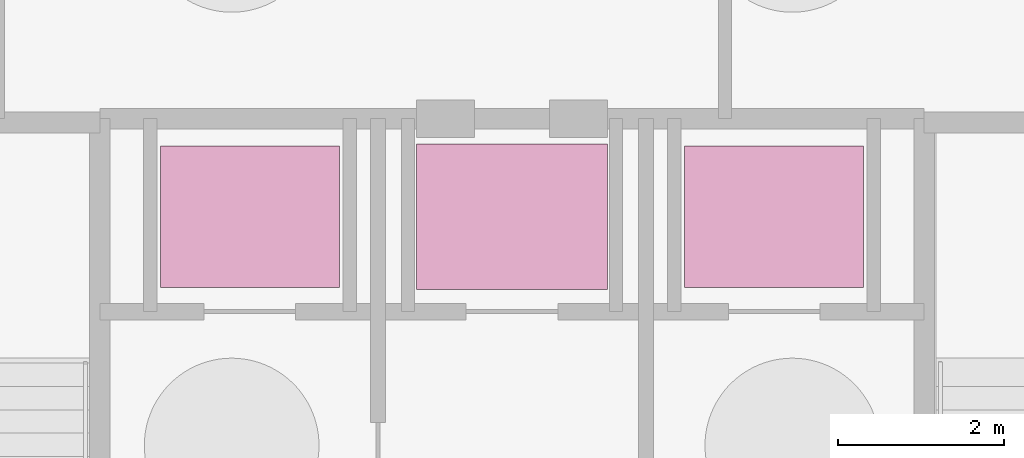
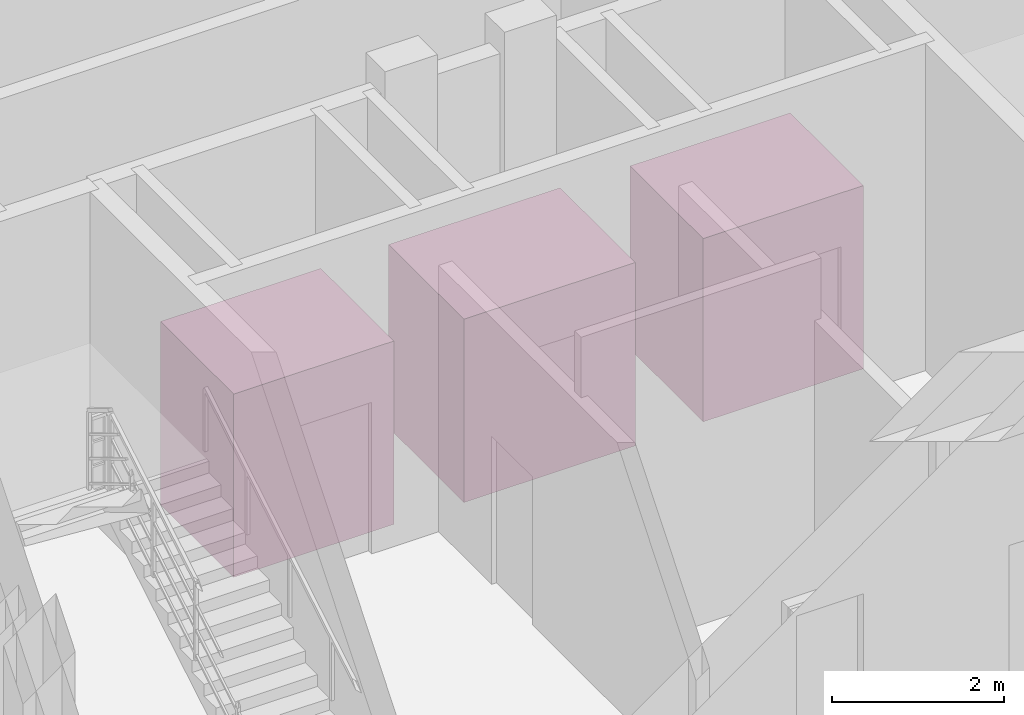
# One storey, part 12 of 12: 3 transport elements.
"""IFC4 building model written with IfcOpenShell, lengths in metres."""

import ifcopenshell
import ifcopenshell.guid

model = None  # the IFC model being written
_history = None  # IfcOwnerHistory: only IFC2X3 demands one
_inside = {}  # id of a spatial element -> (the spatial element, [elements in it])
_under = {}  # id of a project, library or spatial element -> (it, [spatial elements below it])
_declared = {}  # id of a project -> (the project, [libraries it declares])
_typed = {}  # id of a type object -> (the type object, [elements of that type])
_made_of = {}  # id of a material, layer set ... -> (it, [elements and type objects made of it])


def new_model(schema):
    """Start an empty IFC model of exactly this schema.

    Asked for "IFC4X3", IfcOpenShell would pick the latest addendum, in which some entities
    have other attributes; the version numbers below select the first issue.
    IFC2X3 requires an IfcOwnerHistory on every rooted entity: one is made here for all.
    """
    global model, _history
    if schema == "IFC4X3":
        model = ifcopenshell.file(schema_version=(4, 3, 0, 0))
    else:
        model = ifcopenshell.file(schema=schema)
    _inside.clear()
    _under.clear()
    _declared.clear()
    _typed.clear()
    _made_of.clear()
    _history = None
    if model.schema == "IFC2X3":
        org = make("IfcOrganization", Name="unknown")
        user = make(
            "IfcPersonAndOrganization",
            ThePerson=make("IfcPerson", FamilyName="unknown"),
            TheOrganization=org,
        )
        app = make(
            "IfcApplication",
            ApplicationDeveloper=org,
            Version="unknown",
            ApplicationFullName="unknown",
            ApplicationIdentifier="unknown",
        )
        _history = make(
            "IfcOwnerHistory",
            OwningUser=user,
            OwningApplication=app,
            ChangeAction="ADDED",
            CreationDate=0,
        )
    return model


def make(cls, **values):
    """One entity of the class cls with the attributes given. An attribute that is None is left unset."""
    return model.create_entity(
        cls, **{name: value for name, value in values.items() if value is not None}
    )


def rooted(cls, **values):
    """An entity with a GlobalId (a new one), such as an element, a storey or a relation."""
    return make(cls, GlobalId=ifcopenshell.guid.new(), OwnerHistory=_history, **values)


def si_unit(unit_type, name, prefix=None):
    """IfcSIUnit, for example si_unit("LENGTHUNIT", "METRE", prefix="MILLI")."""
    return make("IfcSIUnit", UnitType=unit_type, Prefix=prefix, Name=name)


def assignment(units):
    """IfcUnitAssignment: the units of a project."""
    return None if units is None else make("IfcUnitAssignment", Units=units)


def point(xyz):
    """IfcCartesianPoint."""
    return None if xyz is None else make("IfcCartesianPoint", Coordinates=xyz)


def direction(xyz):
    """IfcDirection."""
    return None if xyz is None else make("IfcDirection", DirectionRatios=xyz)


def frame(location, z_axis=None, x_axis=None):
    """IfcAxis2Placement3D, a coordinate frame: its origin and axes. An axis left out is left unset."""
    return make(
        "IfcAxis2Placement3D",
        Location=point(location),
        Axis=direction(z_axis),
        RefDirection=direction(x_axis),
    )


def frame_2d(location, x_axis=None):
    """IfcAxis2Placement2D, a coordinate frame in the plane: its origin and x axis."""
    return make(
        "IfcAxis2Placement2D", Location=point(location), RefDirection=direction(x_axis)
    )


def origin():
    """The frame at (0, 0, 0) with its axes left unset."""
    return frame((0.0, 0.0, 0.0))


def origin_2d():
    """The frame at (0, 0) in the plane with its x axis left unset."""
    return frame_2d((0.0, 0.0))


def place(relative_to, where):
    """IfcLocalPlacement: puts the frame where relative to a parent placement (None: the world)."""
    return make(
        "IfcLocalPlacement", PlacementRelTo=relative_to, RelativePlacement=where
    )


def context(
    kind, dimensions, precision=None, world=None, true_north=None, identifier=None
):
    """IfcGeometricRepresentationContext, for example the 3D "Model" context."""
    return make(
        "IfcGeometricRepresentationContext",
        ContextIdentifier=identifier,
        ContextType=kind,
        CoordinateSpaceDimension=dimensions,
        Precision=precision,
        WorldCoordinateSystem=world,
        TrueNorth=true_north,
    )


def subcontext(parent, identifier, kind, view, scale=None):
    """IfcGeometricRepresentationSubContext, for example "Body" below "Model"."""
    return make(
        "IfcGeometricRepresentationSubContext",
        ContextIdentifier=identifier,
        ContextType=kind,
        ParentContext=parent,
        TargetScale=scale,
        TargetView=view,
    )


def project(units=None, contexts=None):
    """IfcProject with its units and contexts."""
    return rooted(
        "IfcProject",
        Name="project",
        RepresentationContexts=contexts,
        UnitsInContext=assignment(units),
    )


def spatial(cls, under=None, at=None, **own):
    """A site, building, storey or space (cls), placed at a placement, below another one or the project."""
    s = rooted(cls, ObjectPlacement=at, **own)
    if under is not None:
        _under.setdefault(under.id(), (under, []))[1].append(s)
    return s


def profile(cls, at=None, kind="AREA", **sizes):
    """A parametric profile (cls). Its sizes go by their IFC names, for example OverallWidth=200.0."""
    return make(cls, ProfileType=kind, Position=at, **sizes)


def rectangle(**sizes):
    """IfcRectangleProfileDef."""
    return profile("IfcRectangleProfileDef", **sizes)


def extrude(swept, where, along, depth):
    """IfcExtrudedAreaSolid: the profile swept, set in the frame where, extruded along a direction by depth."""
    return make(
        "IfcExtrudedAreaSolid",
        SweptArea=swept,
        Position=where,
        ExtrudedDirection=direction(along),
        Depth=depth,
    )


def shape(context_of_items, identifier, shape_type, items):
    """IfcShapeRepresentation: the items that make up one representation, for example the "Body"."""
    return make(
        "IfcShapeRepresentation",
        ContextOfItems=context_of_items,
        RepresentationIdentifier=identifier,
        RepresentationType=shape_type,
        Items=items,
    )


def material(Name=None, Category=None):
    """IfcMaterial."""
    return make("IfcMaterial", Name=Name, Category=Category)


def made_of(thing, what):
    """Note that an element or type object is made of a material, layer set ...; save() writes the relation."""
    if what is not None:
        _made_of.setdefault(what.id(), (what, []))[1].append(thing)
    return thing


def type_object(cls, material=None, **own):
    """A type object (cls), such as IfcWallType, which elements share."""
    return made_of(rooted(cls, **own), material)


def element(
    cls,
    number,
    at=None,
    inside=None,
    cuts=None,
    type_object=None,
    material=None,
    context=None,
    identifier="Body",
    shape_type=None,
    held_by="IfcProductDefinitionShape",
    body=None,
    shapes=None,
    **own,
):
    """One element of the class cls, such as IfcWall. Its Tag is "e" and its number.

    at: its placement. inside: the storey or other place that contains it. cuts: it is an
    opening in that element (IfcRelVoidsElement). A single representation is given by context,
    identifier, shape_type and body (its items); several are given by shapes. held_by: the class
    of the entity that holds the representations. save() writes the other relations.
    """
    e = rooted(cls, Tag="e%d" % number, ObjectPlacement=at, **own)
    if body is not None:
        shapes = [shape(context, identifier, shape_type, body)]
    if shapes is not None:
        e.Representation = make(held_by, Representations=shapes)
    if inside is not None:
        _inside.setdefault(inside.id(), (inside, []))[1].append(e)
    if cuts is not None:
        rooted(
            "IfcRelVoidsElement", RelatingBuildingElement=cuts, RelatedOpeningElement=e
        )
    if type_object is not None:
        _typed.setdefault(type_object.id(), (type_object, []))[1].append(e)
    return made_of(e, material)


def aggregate(whole, parts):
    """IfcRelAggregates: a whole, such as a stair, and the parts it consists of."""
    return rooted("IfcRelAggregates", RelatingObject=whole, RelatedObjects=parts)


def save(model, path):
    """Write the relations noted so far, then the file.

    IfcRelAggregates (storeys below a building ...), IfcRelContainedInSpatialStructure (elements
    in a storey), IfcRelDefinesByType, IfcRelAssociatesMaterial and IfcRelDeclares: one each for
    every whole, place, type object, material and project.
    """
    for whole, parts in _under.values():
        aggregate(whole, parts)
    for where, things in _inside.values():
        rooted(
            "IfcRelContainedInSpatialStructure",
            RelatedElements=things,
            RelatingStructure=where,
        )
    for kind, things in _typed.values():
        rooted("IfcRelDefinesByType", RelatedObjects=things, RelatingType=kind)
    for what, things in _made_of.values():
        rooted("IfcRelAssociatesMaterial", RelatedObjects=things, RelatingMaterial=what)
    for by, libraries in _declared.values():
        rooted("IfcRelDeclares", RelatingContext=by, RelatedDefinitions=libraries)
    model.write(path)


model = new_model("IFC4")

# Units and contexts
model_context = context("Model", 3, precision=1e-05, world=origin(), true_north=direction((0.0, 1.0)))
body_context = subcontext(model_context, "Body", "Model", "MODEL_VIEW")
ifc_project = project(units=[si_unit("LENGTHUNIT", "METRE"), si_unit("AREAUNIT", "SQUARE_METRE"), si_unit("VOLUMEUNIT", "CUBIC_METRE"), si_unit("PLANEANGLEUNIT", "RADIAN"), si_unit("MASSUNIT", "GRAM", prefix="KILO")], contexts=[model_context])

# Site, building, storey
site_placement = place(None, origin())
site = spatial("IfcSite", under=ifc_project, at=site_placement, CompositionType="ELEMENT")
building_placement = place(site_placement, origin())
building = spatial("IfcBuilding", under=site, at=building_placement, Name="Varakhsha Concourse Tower", CompositionType="ELEMENT")
storey_placement = place(building_placement, frame((0.0, 0.0, -10.0)))
storey = spatial("IfcBuildingStorey", under=building, at=storey_placement, Name="B02", CompositionType="ELEMENT", Elevation=-10.0)

# Transport elements
ifc_material = material(Name="Brushed Austenitic Stainless Steel AISI 316", Category="steel")
transport_element_type_1 = type_object("IfcTransportElementType", Name="LIFT-CAR-FSAE", PredefinedType="ELEVATOR", material=ifc_material)
for number, where, z_axis, x_axis, name in (
    (1, (36.85009765625, 23.6201171875, 0.0), (0.0, 0.0, 1.0), (1.0, 0.0, 0.0), "Firefighting Lift FFL-1"),
    (2, (43.14990234375, 23.6201171875, 0.0), (0.0, 0.0, 1.0), (1.0, 0.0, 0.0), "Firefighting Lift FFL-2"),
):
    element("IfcTransportElement", number, at=place(storey_placement, frame(where, z_axis=z_axis, x_axis=x_axis)), inside=storey, type_object=transport_element_type_1, Name=name, PredefinedType="ELEVATOR", context=body_context, shape_type="SweptSolid", body=[
        extrude(rectangle(XDim=2.14990234375, YDim=1.699951171875, at=origin_2d()), origin(), (0.0, 0.0, 1.0), 2.60009765625),
    ])
transport_element_type_2 = type_object("IfcTransportElementType", Name="LIFT-CAR-SERV", PredefinedType="ELEVATOR", material=ifc_material)
transport_element_placement = place(storey_placement, frame((40.0, 23.6201171875, 0.0), z_axis=(0.0, 0.0, 1.0), x_axis=(1.0, 0.0, 0.0)))
element("IfcTransportElement", 3, at=transport_element_placement, inside=storey, type_object=transport_element_type_2, Name="Service and Stretcher Freight Lift SVL-1", PredefinedType="ELEVATOR", context=body_context, shape_type="SweptSolid", body=[
    extrude(rectangle(XDim=2.300048828125, YDim=1.75, at=origin_2d()), origin(), (0.0, 0.0, 1.0), 2.60009765625),
])

save(model, "model.ifc")
